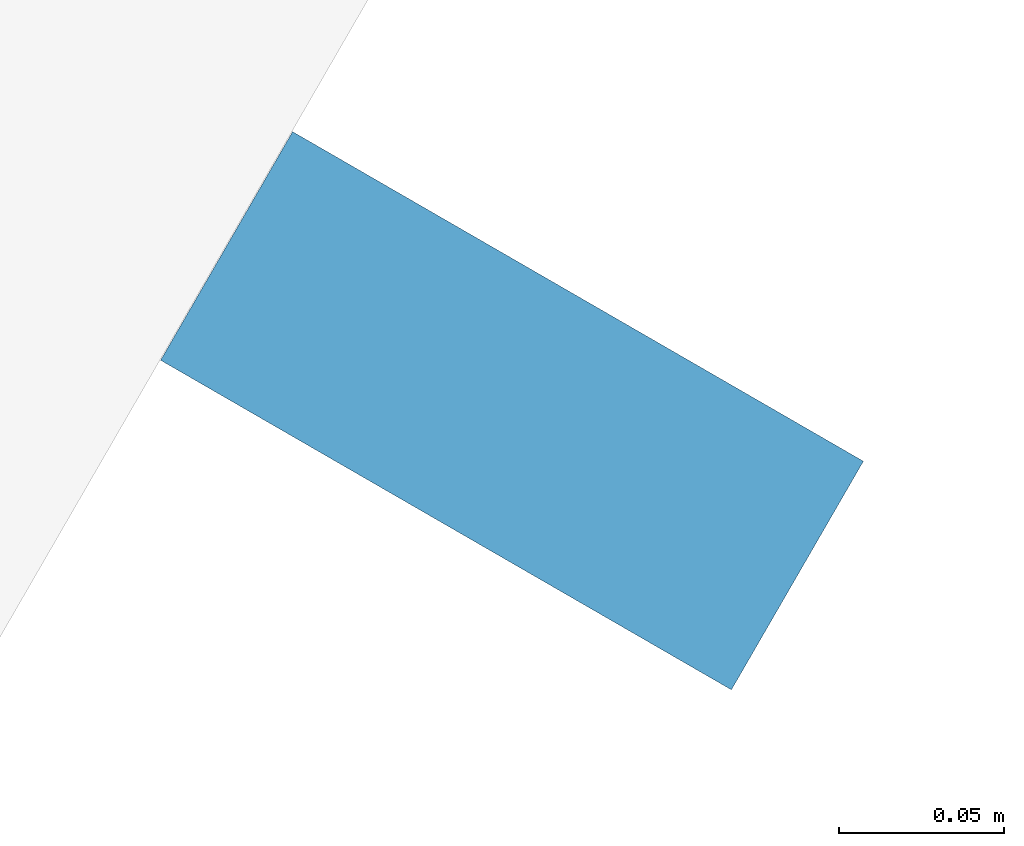
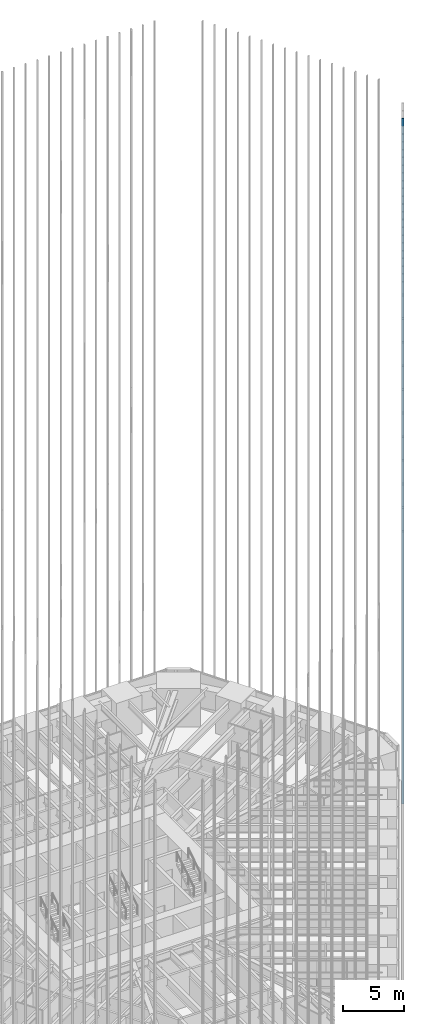
# One storey, part 193 of 256: 1 member, 1 element without a shape of its own.
"""IFC4 building model written with IfcOpenShell, lengths in metres."""

from ifc_helpers import new_model, si_unit, direction, frame, origin, origin_2d, place, context, subcontext, project, spatial, rectangle, extrude, material, material_profile, profile_set, type_object, element, aggregate, save


model = new_model("IFC4")

# Units and contexts
model_context = context("Model", 3, precision=1e-05, world=origin(), true_north=direction((0.0, 1.0)))
body_context = subcontext(model_context, "Body", "Model", "MODEL_VIEW")
ifc_project = project(units=[si_unit("LENGTHUNIT", "METRE"), si_unit("AREAUNIT", "SQUARE_METRE"), si_unit("VOLUMEUNIT", "CUBIC_METRE"), si_unit("PLANEANGLEUNIT", "RADIAN"), si_unit("MASSUNIT", "GRAM", prefix="KILO")], contexts=[model_context])

# Site, building, storey
site_placement = place(None, origin())
site = spatial("IfcSite", under=ifc_project, at=site_placement, CompositionType="ELEMENT")
building_placement = place(site_placement, origin())
building = spatial("IfcBuilding", under=site, at=building_placement, Name="Sandreach Pilgrim Tower", CompositionType="ELEMENT")
storey_placement = place(building_placement, frame((0.0, 0.0, 23.0)))
storey = spatial("IfcBuildingStorey", under=building, at=storey_placement, Name="L04", CompositionType="ELEMENT", Elevation=23.0)

# Curtain wall, member
ifc_material_1 = material(Name="Aluminium framed curtain wall", Category="aluminium")
curtain_wall_type = type_object("IfcCurtainWallType", Name="Hostel tower curtain wall", PredefinedType="NOTDEFINED", material=ifc_material_1)
curtain_wall_placement = place(storey_placement, origin())
curtain_wall = element("IfcCurtainWall", 1, at=curtain_wall_placement, inside=storey, type_object=curtain_wall_type, Name="CW-1 L04 SE", PredefinedType="NOTDEFINED")
ifc_material_2 = material(Name="Extruded terracotta on aluminium core", Category="masonry")
ifc_material_profile = material_profile(ifc_material_2, rectangle(XDim=0.080078125, YDim=0.199951171875, at=origin_2d()), Name="TBE 80X200")
ifc_profile_set = profile_set([ifc_material_profile], Name="Extruded terracotta on aluminium core")
member_type = type_object("IfcMemberType", Name="Terracotta baguette east", PredefinedType="USERDEFINED", material=ifc_profile_set)
member_placement = place(storey_placement, frame((29.379638671875, 2.189453125, 0.0), z_axis=(0.0, 0.0, 1.0), x_axis=(-0.5, -0.866025403784, 0.0)))
member = element("IfcMember", 2, at=member_placement, type_object=member_type, Name="Baguette Z1 SE03", ObjectType="BAGUETTE", PredefinedType="USERDEFINED", context=body_context, shape_type="SweptSolid", body=[
    extrude(rectangle(XDim=0.080078125, YDim=0.199951171875, at=origin_2d()), origin(), (0.0, 0.0, 1.0), 68.239990234375),
])
aggregate(curtain_wall, [member])

save(model, "model.ifc")
